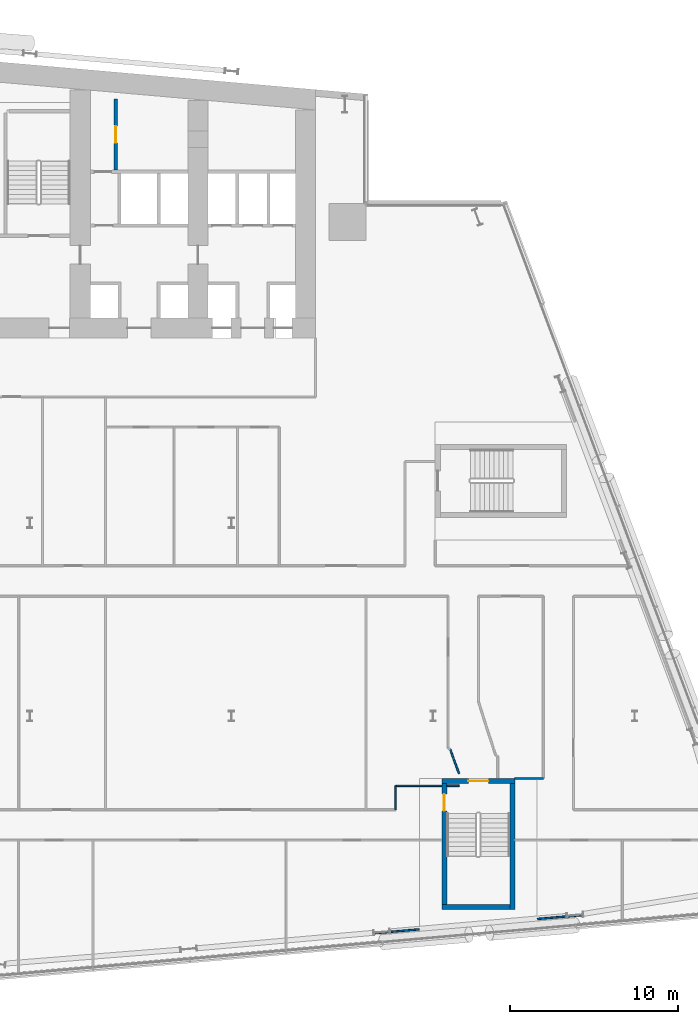
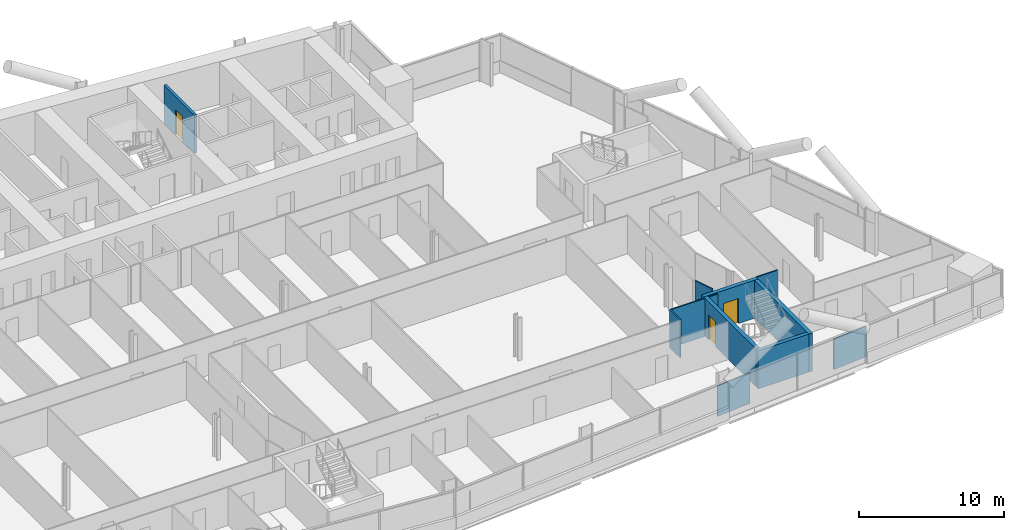
# One storey, part 19 of 28: 12 walls, 3 doors, 3 openings.
"""IFC4 building model written with IfcOpenShell, lengths in metres."""

from ifc_helpers import new_model, si_unit, direction, frame, frame_2d, origin, place, context, subcontext, project, spatial, rectangle, extrude, material, layer, layer_set, type_object, element, fill, save


model = new_model("IFC4")

# Units and contexts
model_context = context("Model", 3, precision=1e-05, world=origin(), true_north=direction((0.0, 1.0)))
body_context = subcontext(model_context, "Body", "Model", "MODEL_VIEW")
ifc_project = project(units=[si_unit("LENGTHUNIT", "METRE"), si_unit("AREAUNIT", "SQUARE_METRE"), si_unit("VOLUMEUNIT", "CUBIC_METRE"), si_unit("PLANEANGLEUNIT", "RADIAN"), si_unit("MASSUNIT", "GRAM", prefix="KILO")], contexts=[model_context])

# Site, building, storey
site_placement = place(None, origin())
site = spatial("IfcSite", under=ifc_project, at=site_placement, CompositionType="ELEMENT")
building_placement = place(site_placement, origin())
building = spatial("IfcBuilding", under=site, at=building_placement, Name="Wharfspan Tower", CompositionType="ELEMENT")
storey_placement = place(building_placement, frame((0.0, 0.0, 59.5)))
storey = spatial("IfcBuildingStorey", under=building, at=storey_placement, Name="L11", CompositionType="ELEMENT", Elevation=59.5)

# Walls
ifc_material_1 = material(Name="Gypsum board on steel studs", Category="steel")
ifc_layer_1 = layer(ifc_material_1, 0.100098)
ifc_layer_set_1 = layer_set([ifc_layer_1], Name="Gypsum board on steel studs")
wall_type_1 = type_object("IfcWallType", Name="Compartment wall 100 EI 60", PredefinedType="PARTITIONING", material=ifc_layer_set_1)
wall_1_placement = place(storey_placement, frame((69.764893, 5.925049, 0.0), z_axis=(0.0, 0.0, 1.0), x_axis=(0.0, 1.0, 0.0)))
element("IfcWall", 1, at=wall_1_placement, inside=storey, type_object=wall_type_1, Name="Partition L11.w061", PredefinedType="PARTITIONING", context=body_context, shape_type="SweptSolid", body=[
    extrude(rectangle(XDim=1.425049, YDim=0.100098, at=frame_2d((0.712402, 0.0))), origin(), (0.0, 0.0, 1.0), 3.199951),
])
wall_2_placement = place(storey_placement, frame((69.764893, 7.350098, 0.0), z_axis=(0.0, 0.0, 1.0), x_axis=(1.0, 0.0, 0.0)))
element("IfcWall", 2, at=wall_2_placement, inside=storey, type_object=wall_type_1, Name="Partition L11.w062", PredefinedType="PARTITIONING", context=body_context, shape_type="SweptSolid", body=[
    extrude(rectangle(XDim=2.752686, YDim=0.100098, at=frame_2d((1.376465, 0.0))), origin(), (0.0, 0.0, 1.0), 3.199951),
])
wall_3_placement = place(storey_placement, frame((73.540039, 8.074951, 0.0), z_axis=(0.0, 0.0, 1.0), x_axis=(-0.339669, 0.940548, 0.0)))
element("IfcWall", 3, at=wall_3_placement, inside=storey, type_object=wall_type_1, Name="Partition L11.w071", PredefinedType="PARTITIONING", context=body_context, shape_type="SweptSolid", body=[
    extrude(rectangle(XDim=1.531006, YDim=0.100098, at=frame_2d((0.765625, 0.0))), origin(), (0.0, 0.0, 1.0), 3.199951),
])
wall_4_placement = place(storey_placement, frame((76.867432, 7.790039, 0.0), z_axis=(0.0, 0.0, 1.0), x_axis=(1.0, 0.0, 0.0)))
element("IfcWall", 4, at=wall_4_placement, inside=storey, type_object=wall_type_1, Name="Partition L11.w080", PredefinedType="PARTITIONING", context=body_context, shape_type="SweptSolid", body=[
    extrude(rectangle(XDim=1.6875, YDim=0.100098, at=frame_2d((0.84375, 0.0))), origin(), (0.0, 0.0, 1.0), 3.199951),
])
wall_5_placement = place(storey_placement, frame((72.817383, 7.353516, 0.0), z_axis=(0.0, 0.0, 1.0), x_axis=(0.999994, 0.002027, 0.0)))
element("IfcWall", 5, at=wall_5_placement, inside=storey, type_object=wall_type_1, Name="Partition L11.w065 (2)", PredefinedType="PARTITIONING", context=body_context, shape_type="SweptSolid", body=[
    extrude(rectangle(XDim=0.722656, YDim=0.100098, at=frame_2d((0.361328, 0.0))), origin(), (0.0, 0.0, 1.0), 3.199951),
])

# Wall, opening, door
ifc_material_2 = material(Name="Calcium silicate masonry", Category="masonry")
ifc_layer_2 = layer(ifc_material_2, 0.199951)
ifc_layer_set_2 = layer_set([ifc_layer_2], Name="Calcium silicate masonry")
wall_type_2 = type_object("IfcWallType", Name="Core room wall 200", PredefinedType="PARTITIONING", material=ifc_layer_set_2)
wall_6_placement = place(storey_placement, frame((53.100098, 44.0, 0.0), z_axis=(0.0, 0.0, 1.0), x_axis=(0.0, 1.0, 0.0)))
wall_6 = element("IfcWall", 6, at=wall_6_placement, inside=storey, type_object=wall_type_2, Name="sw:L11:RP6.1", PredefinedType="PARTITIONING", context=body_context, shape_type="SweptSolid", body=[
    extrude(rectangle(XDim=4.227783, YDim=0.199951, at=frame_2d((2.11377, 0.0))), origin(), (0.0, 0.0, 1.0), 3.199951),
])
opening_1_placement = place(wall_6_placement, frame((1.614014, 0.0, 0.0)))
opening_1 = element("IfcOpeningElement", 7, at=opening_1_placement, cuts=wall_6, Name="Opening CD11.6P1", PredefinedType="OPENING", context=body_context, shape_type="SweptSolid", body=[
    extrude(rectangle(XDim=1.0, YDim=2.100098, at=frame_2d((0.5, 1.050049))), frame((0.0, 0.109863, 0.0), z_axis=(0.0, -1.0, 0.0), x_axis=(1.0, 0.0, 0.0)), (0.0, 0.0, 1.0), 0.219971),
])
ifc_material_3 = material(Name="Steel door leaf", Category="steel")
door_type_1 = type_object("IfcDoorType", Name="Core room door 1000x2100", OperationType="SINGLE_SWING_LEFT", PredefinedType="DOOR", material=ifc_material_3)
door_1_placement = place(opening_1_placement, origin())
door_1 = element("IfcDoor", 8, at=door_1_placement, inside=storey, type_object=door_type_1, Name="d:L11:6:rp1", OperationType="SINGLE_SWING_LEFT", OverallHeight=2.100098, OverallWidth=1.0, PredefinedType="DOOR", context=body_context, shape_type="SweptSolid", body=[
    extrude(rectangle(XDim=1.0, YDim=2.100098, at=frame_2d((0.5, 1.050049))), frame((0.0, 0.024902, 0.0), z_axis=(0.0, -1.0, 0.0), x_axis=(1.0, 0.0, 0.0)), (0.0, 0.0, 1.0), 0.050049),
])
fill(opening_1, door_1)

# Walls
ifc_layer_3 = layer(ifc_material_1, 0.100098)
ifc_layer_set_3 = layer_set([ifc_layer_3], Name="Gypsum board on steel studs")
wall_type_3 = type_object("IfcWallType", Name="Partition 100", PredefinedType="PARTITIONING", material=ifc_layer_set_3)
wall_7_placement = place(storey_placement, frame((68.445068, -1.429932, 0.0), z_axis=(0.0, 0.0, 1.0), x_axis=(0.996195, 0.087118, 0.0)))
element("IfcWall", 9, at=wall_7_placement, inside=storey, type_object=wall_type_3, Name="Partition L11.w060", PredefinedType="PARTITIONING", context=body_context, shape_type="SweptSolid", body=[
    extrude(rectangle(XDim=2.738037, YDim=0.100098, at=frame_2d((1.369141, 0.0))), origin(), (0.0, 0.0, 1.0), 2.580078),
])
wall_8_placement = place(storey_placement, frame((78.212402, -0.572998, 0.0), z_axis=(0.0, 0.0, 1.0), x_axis=(0.996224, 0.086779, 0.0)))
element("IfcWall", 10, at=wall_8_placement, inside=storey, type_object=wall_type_3, Name="Partition L11.w081", PredefinedType="PARTITIONING", context=body_context, shape_type="SweptSolid", body=[
    extrude(rectangle(XDim=2.74292, YDim=0.100098, at=frame_2d((1.371582, 0.0))), origin(), (0.0, 0.0, 1.0), 2.580078),
])

# Wall, opening, door
ifc_material_4 = material(Name="Concrete C40/50", Category="concrete")
ifc_layer_4 = layer(ifc_material_4, 0.300049)
ifc_layer_set_4 = layer_set([ifc_layer_4], Name="Concrete C40/50")
wall_type_4 = type_object("IfcWallType", Name="Stair core wall 300", PredefinedType="SHEAR", material=ifc_layer_set_4)
wall_9_placement = place(storey_placement, frame((72.517578, 7.64209, 0.0), z_axis=(0.0, 0.0, 1.0), x_axis=(1.0, 0.0, 0.0)))
wall_9 = element("IfcWall", 11, at=wall_9_placement, inside=storey, type_object=wall_type_4, Name="ST5 stair enclosure wall L11", PredefinedType="SHEAR", context=body_context, shape_type="SweptSolid", body=[
    extrude(rectangle(XDim=4.349854, YDim=0.300049, at=frame_2d((2.174805, 0.0))), origin(), (0.0, 0.0, 1.0), 3.199951),
])
opening_2_placement = place(wall_9_placement, frame((1.574951, 0.0, 0.0)))
opening_2 = element("IfcOpeningElement", 12, at=opening_2_placement, cuts=wall_9, Name="Opening SD5.L11", PredefinedType="OPENING", context=body_context, shape_type="SweptSolid", body=[
    extrude(rectangle(XDim=1.199951, YDim=2.100098, at=frame_2d((0.600098, 1.050049))), frame((0.0, 0.159912, 0.0), z_axis=(0.0, -1.0, 0.0), x_axis=(1.0, 0.0, 0.0)), (0.0, 0.0, 1.0), 0.320068),
])
door_type_2 = type_object("IfcDoorType", Name="Stair door 1200x2100", OperationType="SINGLE_SWING_LEFT", PredefinedType="DOOR", material=ifc_material_3)
door_2_placement = place(opening_2_placement, origin())
door_2 = element("IfcDoor", 13, at=door_2_placement, inside=storey, type_object=door_type_2, Name="sd:L11:ST5z1", OperationType="SINGLE_SWING_RIGHT", OverallHeight=2.100098, OverallWidth=1.199951, PredefinedType="DOOR", context=body_context, shape_type="SweptSolid", body=[
    extrude(rectangle(XDim=1.199951, YDim=2.100098, at=frame_2d((0.600098, 1.050049))), frame((0.0, 0.024902, 0.0), z_axis=(0.0, -1.0, 0.0), x_axis=(1.0, 0.0, 0.0)), (0.0, 0.0, 1.0), 0.050049),
])
fill(opening_2, door_2)

wall_10_placement = place(storey_placement, frame((72.66748, 0.291992, 0.0), z_axis=(0.0, 0.0, 1.0), x_axis=(0.0, 1.0, 0.0)))
wall_10 = element("IfcWall", 14, at=wall_10_placement, inside=storey, type_object=wall_type_4, Name="ST5 stair enclosure wall L11", PredefinedType="SHEAR", context=body_context, shape_type="SweptSolid", body=[
    extrude(rectangle(XDim=7.199951, YDim=0.300049, at=frame_2d((3.600098, 0.0))), origin(), (0.0, 0.0, 1.0), 3.199951),
])
opening_3_placement = place(wall_10_placement, frame((5.566406, 0.0, 0.0)))
opening_3 = element("IfcOpeningElement", 15, at=opening_3_placement, cuts=wall_10, Name="Opening SS5W.L11", PredefinedType="OPENING", context=body_context, shape_type="SweptSolid", body=[
    extrude(rectangle(XDim=1.0, YDim=2.100098, at=frame_2d((0.5, 1.050049))), frame((0.0, 0.159912, 0.0), z_axis=(0.0, -1.0, 0.0), x_axis=(1.0, 0.0, 0.0)), (0.0, 0.0, 1.0), 0.320068),
])
door_type_3 = type_object("IfcDoorType", Name="Stair side door 1000x2100", OperationType="SINGLE_SWING_LEFT", PredefinedType="DOOR", material=ifc_material_3)
door_3_placement = place(opening_3_placement, origin())
door_3 = element("IfcDoor", 16, at=door_3_placement, inside=storey, type_object=door_type_3, Name="Stair side door", OperationType="SINGLE_SWING_LEFT", OverallHeight=2.100098, OverallWidth=1.0, PredefinedType="DOOR", context=body_context, shape_type="SweptSolid", body=[
    extrude(rectangle(XDim=1.0, YDim=2.100098, at=frame_2d((0.5, 1.050049))), frame((0.0, 0.024902, 0.0), z_axis=(0.0, -1.0, 0.0), x_axis=(1.0, 0.0, 0.0)), (0.0, 0.0, 1.0), 0.050049),
])
fill(opening_3, door_3)

# Walls
wall_11_placement = place(storey_placement, frame((76.717529, -0.008057, 0.0), z_axis=(0.0, 0.0, 1.0), x_axis=(0.0, 1.0, 0.0)))
element("IfcWall", 17, at=wall_11_placement, inside=storey, type_object=wall_type_4, Name="ST5 stair enclosure wall L11", PredefinedType="SHEAR", context=body_context, shape_type="SweptSolid", body=[
    extrude(rectangle(XDim=7.5, YDim=0.300049, at=frame_2d((3.75, 0.0))), origin(), (0.0, 0.0, 1.0), 3.199951),
])
wall_12_placement = place(storey_placement, frame((72.517578, 0.14209, 0.0), z_axis=(0.0, 0.0, 1.0), x_axis=(1.0, 0.0, 0.0)))
element("IfcWall", 18, at=wall_12_placement, inside=storey, type_object=wall_type_4, Name="ST5 stair enclosure wall L11", PredefinedType="SHEAR", context=body_context, shape_type="SweptSolid", body=[
    extrude(rectangle(XDim=4.049805, YDim=0.300049, at=frame_2d((2.024902, 0.0))), origin(), (0.0, 0.0, 1.0), 3.199951),
])

save(model, "model.ifc")
